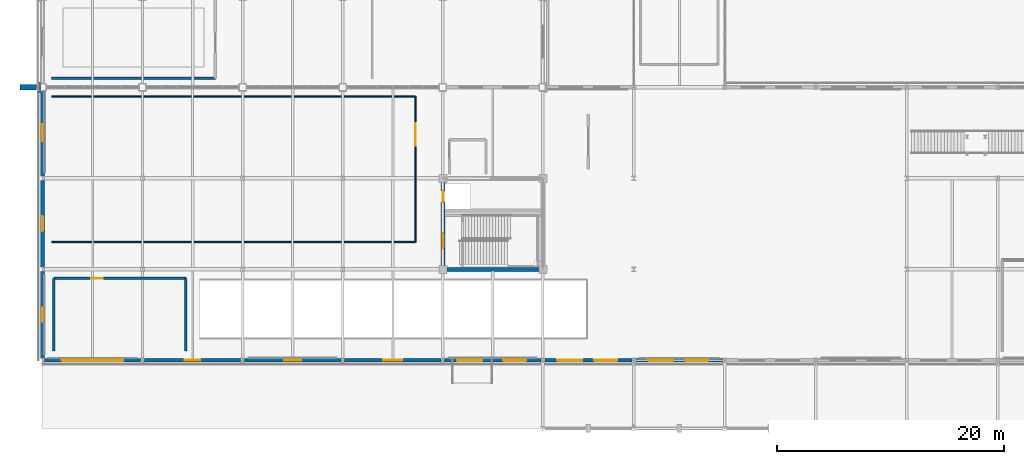
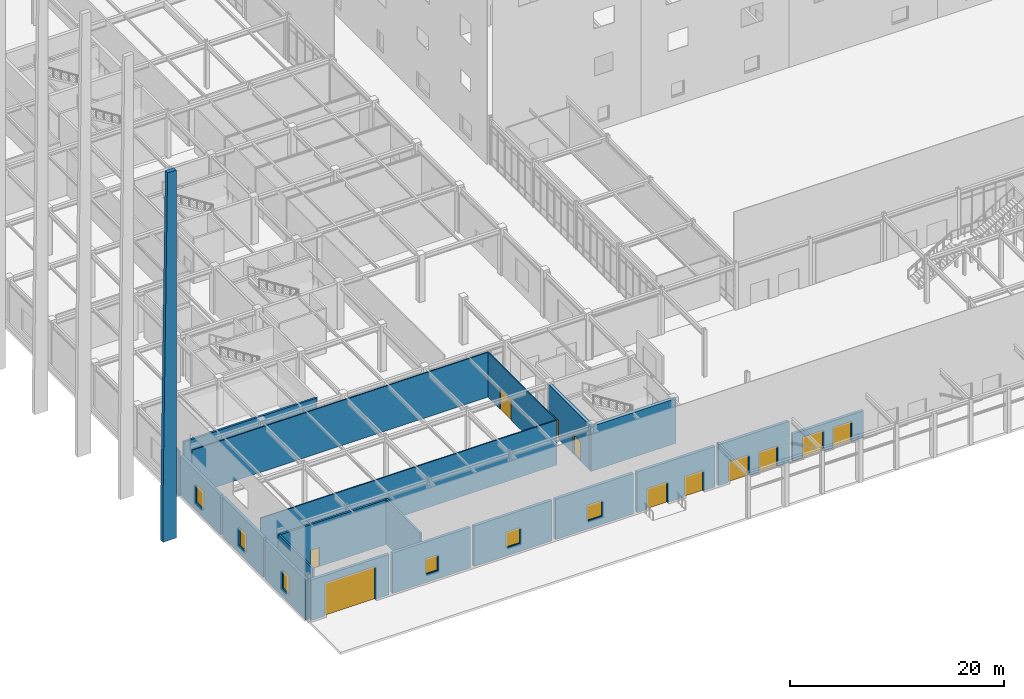
# One storey, part 85 of 119: 21 walls, 11 doors, 6 windows, 17 openings.
"""IFC4 building model written with IfcOpenShell, lengths in metres."""

from ifc_helpers import new_model, si_unit, direction, frame, frame_2d, origin, place, context, subcontext, project, spatial, polyline, rectangle, outline, extrude, material, layer, layer_set, type_object, element, fill, save


model = new_model("IFC4")

# Units and contexts
model_context = context("Model", 3, precision=1e-05, world=origin(), true_north=direction((0.0, 1.0)))
body_context = subcontext(model_context, "Body", "Model", "MODEL_VIEW")
ifc_project = project(units=[si_unit("LENGTHUNIT", "METRE"), si_unit("AREAUNIT", "SQUARE_METRE"), si_unit("VOLUMEUNIT", "CUBIC_METRE"), si_unit("PLANEANGLEUNIT", "RADIAN"), si_unit("MASSUNIT", "GRAM", prefix="KILO")], contexts=[model_context])

# Site, building, storey
site_placement = place(None, origin())
site = spatial("IfcSite", under=ifc_project, at=site_placement, CompositionType="ELEMENT")
building_placement = place(site_placement, origin())
building = spatial("IfcBuilding", under=site, at=building_placement, Name="Zhaolan Boulevard Law Courts", CompositionType="ELEMENT")
storey_placement = place(building_placement, origin())
storey = spatial("IfcBuildingStorey", under=building, at=storey_placement, Name="L00", CompositionType="ELEMENT", Elevation=0.0)

# Wall
ifc_material_1 = material(Name="Concrete C50", Category="concrete")
ifc_layer_1 = layer(ifc_material_1, 0.35009765625)
ifc_layer_set_1 = layer_set([ifc_layer_1])
wall_type_1 = type_object("IfcWallType", Name="CORE SHEAR WALL 350", PredefinedType="SHEAR", material=ifc_layer_set_1)
wall_1_placement = place(storey_placement, frame((35.02490234375, 14.0, 0.0), z_axis=(0.0, 0.0, 1.0), x_axis=(1.0, 0.0, 0.0)))
element("IfcWall", 1, at=wall_1_placement, inside=storey, type_object=wall_type_1, Name="Core Shear Wall CW-P1-L00S", PredefinedType="SHEAR", context=body_context, shape_type="SweptSolid", body=[
    extrude(rectangle(XDim=9.150146484375, YDim=0.35009765625, at=frame_2d((4.5751953125, 0.0))), origin(), (0.0, 0.0, 1.0), 5.1201171875),
])

# Wall, openings, doors
wall_2_placement = place(storey_placement, frame((35.199951171875, 14.175048828125, 0.0), z_axis=(0.0, 0.0, 1.0), x_axis=(0.0, 1.0, 0.0)))
wall_2 = element("IfcWall", 2, at=wall_2_placement, inside=storey, type_object=wall_type_1, Name="Core Shear Wall CW-P1-L00W", PredefinedType="SHEAR", context=body_context, shape_type="SweptSolid", body=[
    extrude(rectangle(XDim=7.64990234375, YDim=0.35009765625, at=frame_2d((3.824951171875, 0.0))), origin(), (0.0, 0.0, 1.0), 5.1201171875),
])
opening_1_placement = place(wall_2_placement, frame((1.64990234375, 0.0, 0.0)))
opening_1 = element("IfcOpeningElement", 3, at=opening_1_placement, cuts=wall_2, Name="Opening SD-L00-24", PredefinedType="OPENING", context=body_context, shape_type="SweptSolid", body=[
    extrude(rectangle(XDim=1.35009765625, YDim=2.199951171875, at=frame_2d((0.675048828125, 1.10009765625))), frame((0.0, 0.18505859375, 0.0), z_axis=(0.0, -1.0, 0.0), x_axis=(1.0, 0.0, 0.0)), (0.0, 0.0, 1.0), 0.3701171875),
])
opening_2_placement = place(wall_2_placement, frame((5.72509765625, 0.0, 0.0)))
opening_2 = element("IfcOpeningElement", 4, at=opening_2_placement, cuts=wall_2, Name="Opening LD-PL-01-L00", PredefinedType="OPENING", context=body_context, shape_type="SweptSolid", body=[
    extrude(rectangle(XDim=1.0, YDim=2.14990234375, at=frame_2d((0.5, 1.074951171875))), frame((0.0, 0.18505859375, 0.0), z_axis=(0.0, -1.0, 0.0), x_axis=(1.0, 0.0, 0.0)), (0.0, 0.0, 1.0), 0.3701171875),
])
ifc_material_2 = material(Name="Stainless steel sliding landing door", Category="steel")
door_type_1 = type_object("IfcDoorType", Name="LIFT LANDING 1000X2150", OperationType="DOUBLE_DOOR_SLIDING", PredefinedType="DOOR", material=ifc_material_2)
door_1_placement = place(opening_2_placement, origin())
door_1 = element("IfcDoor", 5, at=door_1_placement, inside=storey, type_object=door_type_1, Name="Lift Landing Sliding Door LD-PL-01-L00", OperationType="DOUBLE_DOOR_SLIDING", OverallHeight=2.14990234375, OverallWidth=1.0, PredefinedType="DOOR", context=body_context, shape_type="SweptSolid", body=[
    extrude(rectangle(XDim=1.0, YDim=2.14990234375, at=frame_2d((0.5, 1.074951171875))), frame((0.0, 0.02490234375, 0.0), z_axis=(0.0, -1.0, 0.0), x_axis=(1.0, 0.0, 0.0)), (0.0, 0.0, 1.0), 0.050048828125),
])
fill(opening_2, door_1)
ifc_material_3 = material(Name="Fire-rated steel acoustic door", Category="steel")
door_type_2 = type_object("IfcDoorType", Name="STAIR FIRE 1350X2200 R", OperationType="SINGLE_SWING_RIGHT", PredefinedType="DOOR", material=ifc_material_3)
door_2_placement = place(opening_1_placement, origin())
door_2 = element("IfcDoor", 6, at=door_2_placement, inside=storey, type_object=door_type_2, Name="Smoke-Proof Stairwell Fire Door SD-L00-24", OperationType="SINGLE_SWING_RIGHT", OverallHeight=2.199951171875, OverallWidth=1.35009765625, PredefinedType="DOOR", context=body_context, shape_type="SweptSolid", body=[
    extrude(rectangle(XDim=1.35009765625, YDim=2.199951171875, at=frame_2d((0.675048828125, 1.10009765625))), frame((0.0, 0.02490234375, 0.0), z_axis=(0.0, -1.0, 0.0), x_axis=(1.0, 0.0, 0.0)), (0.0, 0.0, 1.0), 0.050048828125),
])
fill(opening_1, door_2)

# Walls
ifc_material_4 = material(Name="Concrete C40", Category="concrete")
ifc_layer_2 = layer(ifc_material_4, 0.139892578125)
ifc_layer_set_2 = layer_set([ifc_layer_2])
wall_type_2 = type_object("IfcWallType", Name="EXT WALL ARCH CLAD140", PredefinedType="SOLIDWALL", material=ifc_layer_set_2)
wall_3_placement = place(storey_placement, frame((-0.280029296875, 29.580078125, 0.0), z_axis=(0.0, 0.0, 1.0), x_axis=(0.0, 1.0, 0.0)))
element("IfcWall", 7, at=wall_3_placement, inside=storey, type_object=wall_type_2, Name="Concrete Column Cloak Pier CPR-024", PredefinedType="SOLIDWALL", context=body_context, shape_type="SweptSolid", body=[
    extrude(rectangle(XDim=0.83984375, YDim=0.139892578125, at=frame_2d((0.419921875, 0.0))), origin(), (0.0, 0.0, 1.0), 5.139892578125),
])
ifc_material_5 = material(Name="Concrete C40", Category="concrete")
ifc_layer_3 = layer(ifc_material_5, 0.4599609375)
ifc_layer_set_3 = layer_set([ifc_layer_3])
wall_type_3 = type_object("IfcWallType", Name="EXT WALL BUTTRESS460", PredefinedType="SOLIDWALL", material=ifc_layer_set_3)
wall_4_placement = place(storey_placement, frame((-0.5400390625, 30.0, -4.800048828125), z_axis=(0.0, 0.0, 1.0), x_axis=(-1.0, 0.0, 0.0)))
element("IfcWall", 8, at=wall_4_placement, inside=storey, type_object=wall_type_3, Name="Sculpted Raked Concrete Fin SCF-215", PredefinedType="SOLIDWALL", context=body_context, shape_type="SweptSolid", body=[
    extrude(outline(polyline([(0.0, 0.0), (1.43994140625, 0.0), (1.43994140625, 4.800048828125), (0.949951171875, 42.0), (0.0, 42.0), (0.0, 0.0)])), frame((0.0, 0.22998046875, 0.0), z_axis=(0.0, -1.0, 0.0), x_axis=(1.0, 0.0, 0.0)), (0.0, 0.0, 1.0), 0.4599609375),
])

# Wall, opening, door
ifc_material_6 = material(Name="Concrete C40", Category="concrete")
ifc_layer_4 = layer(ifc_material_6, 0.320068359375)
ifc_layer_set_4 = layer_set([ifc_layer_4])
wall_type_4 = type_object("IfcWallType", Name="EXT WALL CONCRETE320", PredefinedType="SOLIDWALL", material=ifc_layer_set_4)
wall_5_placement = place(storey_placement, frame((0.1708984375, 6.0, 0.0), z_axis=(0.0, 0.0, 1.0), x_axis=(1.0, 0.0, 0.0)))
wall_5 = element("IfcWall", 9, at=wall_5_placement, inside=storey, type_object=wall_type_4, Name="Exterior Wall EW-L00-120", PredefinedType="SOLIDWALL", context=body_context, shape_type="SweptSolid", body=[
    extrude(rectangle(XDim=8.4580078125, YDim=0.320068359375, at=frame_2d((4.22900390625, 0.0))), origin(), (0.0, 0.0, 1.0), 4.635009765625),
])
opening_3_placement = place(wall_5_placement, frame((1.529052734375, 0.0, 0.0)))
opening_3 = element("IfcOpeningElement", 10, at=opening_3_placement, cuts=wall_5, Name="Opening VD-03", PredefinedType="OPENING", context=body_context, shape_type="SweptSolid", body=[
    extrude(rectangle(XDim=5.39990234375, YDim=3.800048828125, at=frame_2d((2.699951171875, 1.89990234375))), frame((0.0, 0.169921875, 0.0), z_axis=(0.0, -1.0, 0.0), x_axis=(1.0, 0.0, 0.0)), (0.0, 0.0, 1.0), 0.340087890625),
])
ifc_material_7 = material(Name="Insulated powder-coated steel and safety glass", Category="steel")
door_type_3 = type_object("IfcDoorType", Name="CAR PARK SHUTTER 5400", OperationType="ROLLINGUP", PredefinedType="GATE", material=ifc_material_7)
door_3_placement = place(opening_3_placement, origin())
door_3 = element("IfcDoor", 11, at=door_3_placement, inside=storey, type_object=door_type_3, Name="Underground Car Park Vehicle Entrance Shutter VD-03", OperationType="ROLLINGUP", OverallHeight=3.800048828125, OverallWidth=5.39990234375, PredefinedType="GATE", context=body_context, shape_type="SweptSolid", body=[
    extrude(rectangle(XDim=5.39990234375, YDim=3.800048828125, at=frame_2d((2.699951171875, 1.89990234375))), frame((0.0, 0.02490234375, 0.0), z_axis=(0.0, -1.0, 0.0), x_axis=(1.0, 0.0, 0.0)), (0.0, 0.0, 1.0), 0.050048828125),
])
fill(opening_3, door_3)

# Wall, opening, window
wall_6_placement = place(storey_placement, frame((8.970947265625, 6.0, 0.0), z_axis=(0.0, 0.0, 1.0), x_axis=(1.0, 0.0, 0.0)))
wall_6 = element("IfcWall", 12, at=wall_6_placement, inside=storey, type_object=wall_type_4, Name="Exterior Wall EW-L00-121", PredefinedType="SOLIDWALL", context=body_context, shape_type="SweptSolid", body=[
    extrude(rectangle(XDim=8.4580078125, YDim=0.320068359375, at=frame_2d((4.22900390625, 0.0))), origin(), (0.0, 0.0, 1.0), 4.635009765625),
])
opening_4_placement = place(wall_6_placement, frame((3.553955078125, 0.0, 0.949951171875)))
opening_4 = element("IfcOpeningElement", 13, at=opening_4_placement, cuts=wall_6, Name="Opening WIN-L00-001", PredefinedType="OPENING", context=body_context, shape_type="SweptSolid", body=[
    extrude(rectangle(XDim=1.35009765625, YDim=1.800048828125, at=frame_2d((0.675048828125, 0.89990234375))), frame((0.0, 0.169921875, 0.0), z_axis=(0.0, -1.0, 0.0), x_axis=(1.0, 0.0, 0.0)), (0.0, 0.0, 1.0), 0.340087890625),
])
ifc_material_8 = material(Name="Thermally broken aluminium and low-E glazing", Category="aluminium")
window_type_1 = type_object("IfcWindowType", Name="WINDOW 1350X1800", PartitioningType="SINGLE_PANEL", PredefinedType="WINDOW", material=ifc_material_8)
window_1_placement = place(opening_4_placement, origin())
window_1 = element("IfcWindow", 14, at=window_1_placement, inside=storey, type_object=window_type_1, Name="Exterior Window WIN-L00-001", OverallHeight=1.800048828125, OverallWidth=1.35009765625, PartitioningType="SINGLE_PANEL", PredefinedType="WINDOW", context=body_context, shape_type="SweptSolid", body=[
    extrude(rectangle(XDim=1.35009765625, YDim=1.800048828125, at=frame_2d((0.675048828125, 0.89990234375))), frame((0.0, 0.030029296875, 0.0), z_axis=(0.0, -1.0, 0.0), x_axis=(1.0, 0.0, 0.0)), (0.0, 0.0, 1.0), 0.06005859375),
])
fill(opening_4, window_1)

wall_7_placement = place(storey_placement, frame((17.77099609375, 6.0, 0.0), z_axis=(0.0, 0.0, 1.0), x_axis=(1.0, 0.0, 0.0)))
wall_7 = element("IfcWall", 15, at=wall_7_placement, inside=storey, type_object=wall_type_4, Name="Exterior Wall EW-L00-122", PredefinedType="SOLIDWALL", context=body_context, shape_type="SweptSolid", body=[
    extrude(rectangle(XDim=8.4580078125, YDim=0.320068359375, at=frame_2d((4.22900390625, 0.0))), origin(), (0.0, 0.0, 1.0), 4.635009765625),
])
opening_5_placement = place(wall_7_placement, frame((3.47900390625, 0.0, 0.949951171875)))
opening_5 = element("IfcOpeningElement", 16, at=opening_5_placement, cuts=wall_7, Name="Opening WIN-L00-002", PredefinedType="OPENING", context=body_context, shape_type="SweptSolid", body=[
    extrude(rectangle(XDim=1.5, YDim=1.800048828125, at=frame_2d((0.75, 0.89990234375))), frame((0.0, 0.169921875, 0.0), z_axis=(0.0, -1.0, 0.0), x_axis=(1.0, 0.0, 0.0)), (0.0, 0.0, 1.0), 0.340087890625),
])
ifc_material_9 = material(Name="Thermally broken aluminium and low-E glazing", Category="aluminium")
window_type_2 = type_object("IfcWindowType", Name="WINDOW 1500X1800", PartitioningType="SINGLE_PANEL", PredefinedType="WINDOW", material=ifc_material_9)
window_2_placement = place(opening_5_placement, origin())
window_2 = element("IfcWindow", 17, at=window_2_placement, inside=storey, type_object=window_type_2, Name="Exterior Window WIN-L00-002", OverallHeight=1.800048828125, OverallWidth=1.5, PartitioningType="SINGLE_PANEL", PredefinedType="WINDOW", context=body_context, shape_type="SweptSolid", body=[
    extrude(rectangle(XDim=1.5, YDim=1.800048828125, at=frame_2d((0.75, 0.89990234375))), frame((0.0, 0.030029296875, 0.0), z_axis=(0.0, -1.0, 0.0), x_axis=(1.0, 0.0, 0.0)), (0.0, 0.0, 1.0), 0.06005859375),
])
fill(opening_5, window_2)

wall_8_placement = place(storey_placement, frame((26.571044921875, 6.0, 0.0), z_axis=(0.0, 0.0, 1.0), x_axis=(1.0, 0.0, 0.0)))
wall_8 = element("IfcWall", 18, at=wall_8_placement, inside=storey, type_object=wall_type_4, Name="Exterior Wall EW-L00-123", PredefinedType="SOLIDWALL", context=body_context, shape_type="SweptSolid", body=[
    extrude(rectangle(XDim=8.4580078125, YDim=0.320068359375, at=frame_2d((4.22900390625, 0.0))), origin(), (0.0, 0.0, 1.0), 4.635009765625),
])
opening_6_placement = place(wall_8_placement, frame((3.404052734375, 0.0, 0.949951171875)))
opening_6 = element("IfcOpeningElement", 19, at=opening_6_placement, cuts=wall_8, Name="Opening WIN-L00-003", PredefinedType="OPENING", context=body_context, shape_type="SweptSolid", body=[
    extrude(rectangle(XDim=1.64990234375, YDim=1.800048828125, at=frame_2d((0.824951171875, 0.89990234375))), frame((0.0, 0.169921875, 0.0), z_axis=(0.0, -1.0, 0.0), x_axis=(1.0, 0.0, 0.0)), (0.0, 0.0, 1.0), 0.340087890625),
])
ifc_material_10 = material(Name="Thermally broken aluminium and low-E glazing", Category="aluminium")
window_type_3 = type_object("IfcWindowType", Name="WINDOW 1650X1800", PartitioningType="SINGLE_PANEL", PredefinedType="WINDOW", material=ifc_material_10)
window_3_placement = place(opening_6_placement, origin())
window_3 = element("IfcWindow", 20, at=window_3_placement, inside=storey, type_object=window_type_3, Name="Exterior Window WIN-L00-003", OverallHeight=1.800048828125, OverallWidth=1.64990234375, PartitioningType="SINGLE_PANEL", PredefinedType="WINDOW", context=body_context, shape_type="SweptSolid", body=[
    extrude(rectangle(XDim=1.64990234375, YDim=1.800048828125, at=frame_2d((0.824951171875, 0.89990234375))), frame((0.0, 0.030029296875, 0.0), z_axis=(0.0, -1.0, 0.0), x_axis=(1.0, 0.0, 0.0)), (0.0, 0.0, 1.0), 0.06005859375),
])
fill(opening_6, window_3)

# Wall, openings, doors
wall_9_placement = place(storey_placement, frame((35.37109375, 6.0, 0.0), z_axis=(0.0, 0.0, 1.0), x_axis=(1.0, 0.0, 0.0)))
wall_9 = element("IfcWall", 21, at=wall_9_placement, inside=storey, type_object=wall_type_4, Name="Exterior Wall EW-L00-124", PredefinedType="SOLIDWALL", context=body_context, shape_type="SweptSolid", body=[
    extrude(rectangle(XDim=8.4580078125, YDim=0.320068359375, at=frame_2d((4.22900390625, 0.0))), origin(), (0.0, 0.0, 1.0), 4.635009765625),
])
opening_7_placement = place(wall_9_placement, frame((1.09912109375, 0.0, 0.0)))
opening_7 = element("IfcOpeningElement", 22, at=opening_7_placement, cuts=wall_9, Name="Opening ED-01", PredefinedType="OPENING", context=body_context, shape_type="SweptSolid", body=[
    extrude(rectangle(XDim=2.199951171875, YDim=2.39990234375, at=frame_2d((1.10009765625, 1.199951171875))), frame((0.0, 0.169921875, 0.0), z_axis=(0.0, -1.0, 0.0), x_axis=(1.0, 0.0, 0.0)), (0.0, 0.0, 1.0), 0.340087890625),
])
opening_8_placement = place(wall_9_placement, frame((5.158935546875, 0.0, 0.0)))
opening_8 = element("IfcOpeningElement", 23, at=opening_8_placement, cuts=wall_9, Name="Opening ED-02", PredefinedType="OPENING", context=body_context, shape_type="SweptSolid", body=[
    extrude(rectangle(XDim=2.0, YDim=2.35009765625, at=frame_2d((1.0, 1.175048828125))), frame((0.0, 0.169921875, 0.0), z_axis=(0.0, -1.0, 0.0), x_axis=(1.0, 0.0, 0.0)), (0.0, 0.0, 1.0), 0.340087890625),
])
ifc_material_11 = material(Name="Insulated powder-coated steel and safety glass", Category="steel")
door_type_4 = type_object("IfcDoorType", Name="EXIT DOOR 2000X2350 R", OperationType="DOUBLE_DOOR_SINGLE_SWING", PredefinedType="DOOR", material=ifc_material_11)
door_4_placement = place(opening_8_placement, origin())
door_4 = element("IfcDoor", 24, at=door_4_placement, inside=storey, type_object=door_type_4, Name="Pedestrian Final Exit Door ED-02", OperationType="DOUBLE_DOOR_SINGLE_SWING", OverallHeight=2.35009765625, OverallWidth=2.0, PredefinedType="DOOR", context=body_context, shape_type="SweptSolid", body=[
    extrude(rectangle(XDim=2.0, YDim=2.35009765625, at=frame_2d((1.0, 1.175048828125))), frame((0.0, 0.02490234375, 0.0), z_axis=(0.0, -1.0, 0.0), x_axis=(1.0, 0.0, 0.0)), (0.0, 0.0, 1.0), 0.050048828125),
])
fill(opening_8, door_4)
ifc_material_12 = material(Name="Insulated powder-coated steel and safety glass", Category="steel")
door_type_5 = type_object("IfcDoorType", Name="EXIT DOOR 2200X2400 L", OperationType="DOUBLE_DOOR_SINGLE_SWING", PredefinedType="DOOR", material=ifc_material_12)
door_5_placement = place(opening_7_placement, origin())
door_5 = element("IfcDoor", 25, at=door_5_placement, inside=storey, type_object=door_type_5, Name="Pedestrian Final Exit Door ED-01", OperationType="DOUBLE_DOOR_SINGLE_SWING", OverallHeight=2.39990234375, OverallWidth=2.199951171875, PredefinedType="DOOR", context=body_context, shape_type="SweptSolid", body=[
    extrude(rectangle(XDim=2.199951171875, YDim=2.39990234375, at=frame_2d((1.10009765625, 1.199951171875))), frame((0.0, 0.02490234375, 0.0), z_axis=(0.0, -1.0, 0.0), x_axis=(1.0, 0.0, 0.0)), (0.0, 0.0, 1.0), 0.050048828125),
])
fill(opening_7, door_5)

wall_10_placement = place(storey_placement, frame((44.1708984375, 6.0, 0.0), z_axis=(0.0, 0.0, 1.0), x_axis=(1.0, 0.0, 0.0)))
wall_10 = element("IfcWall", 26, at=wall_10_placement, inside=storey, type_object=wall_type_4, Name="Exterior Wall EW-L00-125", PredefinedType="SOLIDWALL", context=body_context, shape_type="SweptSolid", body=[
    extrude(rectangle(XDim=7.658203125, YDim=0.320068359375, at=frame_2d((3.8291015625, 0.0))), origin(), (0.0, 0.0, 1.0), 4.68310546875),
])
opening_9_placement = place(wall_10_placement, frame((1.09912109375, 0.0, 0.0)))
opening_9 = element("IfcOpeningElement", 27, at=opening_9_placement, cuts=wall_10, Name="Opening ED-03", PredefinedType="OPENING", context=body_context, shape_type="SweptSolid", body=[
    extrude(rectangle(XDim=2.199951171875, YDim=2.39990234375, at=frame_2d((1.10009765625, 1.199951171875))), frame((0.0, 0.169921875, 0.0), z_axis=(0.0, -1.0, 0.0), x_axis=(1.0, 0.0, 0.0)), (0.0, 0.0, 1.0), 0.340087890625),
])
opening_10_placement = place(wall_10_placement, frame((4.35888671875, 0.0, 0.0)))
opening_10 = element("IfcOpeningElement", 28, at=opening_10_placement, cuts=wall_10, Name="Opening ED-04", PredefinedType="OPENING", context=body_context, shape_type="SweptSolid", body=[
    extrude(rectangle(XDim=2.0, YDim=2.35009765625, at=frame_2d((1.0, 1.175048828125))), frame((0.0, 0.169921875, 0.0), z_axis=(0.0, -1.0, 0.0), x_axis=(1.0, 0.0, 0.0)), (0.0, 0.0, 1.0), 0.340087890625),
])
door_6_placement = place(opening_10_placement, origin())
door_6 = element("IfcDoor", 29, at=door_6_placement, inside=storey, type_object=door_type_4, Name="Pedestrian Final Exit Door ED-04", OperationType="DOUBLE_DOOR_SINGLE_SWING", OverallHeight=2.35009765625, OverallWidth=2.0, PredefinedType="DOOR", context=body_context, shape_type="SweptSolid", body=[
    extrude(rectangle(XDim=2.0, YDim=2.35009765625, at=frame_2d((1.0, 1.175048828125))), frame((0.0, 0.02490234375, 0.0), z_axis=(0.0, -1.0, 0.0), x_axis=(1.0, 0.0, 0.0)), (0.0, 0.0, 1.0), 0.050048828125),
])
fill(opening_10, door_6)
door_7_placement = place(opening_9_placement, origin())
door_7 = element("IfcDoor", 30, at=door_7_placement, inside=storey, type_object=door_type_5, Name="Pedestrian Final Exit Door ED-03", OperationType="DOUBLE_DOOR_SINGLE_SWING", OverallHeight=2.39990234375, OverallWidth=2.199951171875, PredefinedType="DOOR", context=body_context, shape_type="SweptSolid", body=[
    extrude(rectangle(XDim=2.199951171875, YDim=2.39990234375, at=frame_2d((1.10009765625, 1.199951171875))), frame((0.0, 0.02490234375, 0.0), z_axis=(0.0, -1.0, 0.0), x_axis=(1.0, 0.0, 0.0)), (0.0, 0.0, 1.0), 0.050048828125),
])
fill(opening_9, door_7)

wall_11_placement = place(storey_placement, frame((52.1708984375, 6.0, 0.0), z_axis=(0.0, 0.0, 1.0), x_axis=(1.0, 0.0, 0.0)))
wall_11 = element("IfcWall", 31, at=wall_11_placement, inside=storey, type_object=wall_type_4, Name="Exterior Wall EW-L00-126", PredefinedType="SOLIDWALL", context=body_context, shape_type="SweptSolid", body=[
    extrude(rectangle(XDim=7.658203125, YDim=0.320068359375, at=frame_2d((3.8291015625, 0.0))), origin(), (0.0, 0.0, 1.0), 3.087890625),
])
opening_11_placement = place(wall_11_placement, frame((1.09912109375, 0.0, 0.0)))
opening_11 = element("IfcOpeningElement", 32, at=opening_11_placement, cuts=wall_11, Name="Opening ED-05", PredefinedType="OPENING", context=body_context, shape_type="SweptSolid", body=[
    extrude(rectangle(XDim=2.199951171875, YDim=2.39990234375, at=frame_2d((1.10009765625, 1.199951171875))), frame((0.0, 0.169921875, 0.0), z_axis=(0.0, -1.0, 0.0), x_axis=(1.0, 0.0, 0.0)), (0.0, 0.0, 1.0), 0.340087890625),
])
opening_12_placement = place(wall_11_placement, frame((4.35888671875, 0.0, 0.0)))
opening_12 = element("IfcOpeningElement", 33, at=opening_12_placement, cuts=wall_11, Name="Opening ED-06", PredefinedType="OPENING", context=body_context, shape_type="SweptSolid", body=[
    extrude(rectangle(XDim=2.0, YDim=2.35009765625, at=frame_2d((1.0, 1.175048828125))), frame((0.0, 0.169921875, 0.0), z_axis=(0.0, -1.0, 0.0), x_axis=(1.0, 0.0, 0.0)), (0.0, 0.0, 1.0), 0.340087890625),
])
door_8_placement = place(opening_12_placement, origin())
door_8 = element("IfcDoor", 34, at=door_8_placement, inside=storey, type_object=door_type_4, Name="Pedestrian Final Exit Door ED-06", OperationType="DOUBLE_DOOR_SINGLE_SWING", OverallHeight=2.35009765625, OverallWidth=2.0, PredefinedType="DOOR", context=body_context, shape_type="SweptSolid", body=[
    extrude(rectangle(XDim=2.0, YDim=2.35009765625, at=frame_2d((1.0, 1.175048828125))), frame((0.0, 0.02490234375, 0.0), z_axis=(0.0, -1.0, 0.0), x_axis=(1.0, 0.0, 0.0)), (0.0, 0.0, 1.0), 0.050048828125),
])
fill(opening_12, door_8)
door_9_placement = place(opening_11_placement, origin())
door_9 = element("IfcDoor", 35, at=door_9_placement, inside=storey, type_object=door_type_5, Name="Pedestrian Final Exit Door ED-05", OperationType="DOUBLE_DOOR_SINGLE_SWING", OverallHeight=2.39990234375, OverallWidth=2.199951171875, PredefinedType="DOOR", context=body_context, shape_type="SweptSolid", body=[
    extrude(rectangle(XDim=2.199951171875, YDim=2.39990234375, at=frame_2d((1.10009765625, 1.199951171875))), frame((0.0, 0.02490234375, 0.0), z_axis=(0.0, -1.0, 0.0), x_axis=(1.0, 0.0, 0.0)), (0.0, 0.0, 1.0), 0.050048828125),
])
fill(opening_11, door_9)

# Wall, opening, window
wall_12_placement = place(storey_placement, frame((0.0, 13.8291015625, 0.0), z_axis=(0.0, 0.0, 1.0), x_axis=(0.0, -1.0, 0.0)))
wall_12 = element("IfcWall", 36, at=wall_12_placement, inside=storey, type_object=wall_type_4, Name="Exterior Wall EW-L00-140", PredefinedType="SOLIDWALL", context=body_context, shape_type="SweptSolid", body=[
    extrude(rectangle(XDim=7.658203125, YDim=0.320068359375, at=frame_2d((3.8291015625, 0.0))), origin(), (0.0, 0.0, 1.0), 4.52294921875),
])
opening_13_placement = place(wall_12_placement, frame((3.22900390625, 0.0, 0.949951171875)))
opening_13 = element("IfcOpeningElement", 37, at=opening_13_placement, cuts=wall_12, Name="Opening WIN-L00-008", PredefinedType="OPENING", context=body_context, shape_type="SweptSolid", body=[
    extrude(rectangle(XDim=1.199951171875, YDim=2.10009765625, at=frame_2d((0.60009765625, 1.050048828125))), frame((0.0, 0.169921875, 0.0), z_axis=(0.0, -1.0, 0.0), x_axis=(1.0, 0.0, 0.0)), (0.0, 0.0, 1.0), 0.340087890625),
])
ifc_material_13 = material(Name="Thermally broken aluminium and low-E glazing", Category="aluminium")
window_type_4 = type_object("IfcWindowType", Name="WINDOW 1200X2100", PartitioningType="SINGLE_PANEL", PredefinedType="WINDOW", material=ifc_material_13)
window_4_placement = place(opening_13_placement, origin())
window_4 = element("IfcWindow", 38, at=window_4_placement, inside=storey, type_object=window_type_4, Name="Exterior Window WIN-L00-008", OverallHeight=2.10009765625, OverallWidth=1.199951171875, PartitioningType="SINGLE_PANEL", PredefinedType="WINDOW", context=body_context, shape_type="SweptSolid", body=[
    extrude(rectangle(XDim=1.199951171875, YDim=2.10009765625, at=frame_2d((0.60009765625, 1.050048828125))), frame((0.0, 0.030029296875, 0.0), z_axis=(0.0, -1.0, 0.0), x_axis=(1.0, 0.0, 0.0)), (0.0, 0.0, 1.0), 0.06005859375),
])
fill(opening_13, window_4)

wall_13_placement = place(storey_placement, frame((0.0, 21.8291015625, 0.0), z_axis=(0.0, 0.0, 1.0), x_axis=(0.0, -1.0, 0.0)))
wall_13 = element("IfcWall", 39, at=wall_13_placement, inside=storey, type_object=wall_type_4, Name="Exterior Wall EW-L00-141", PredefinedType="SOLIDWALL", context=body_context, shape_type="SweptSolid", body=[
    extrude(rectangle(XDim=7.658203125, YDim=0.320068359375, at=frame_2d((3.8291015625, 0.0))), origin(), (0.0, 0.0, 1.0), 4.52294921875),
])
opening_14_placement = place(wall_13_placement, frame((3.154052734375, 0.0, 0.949951171875)))
opening_14 = element("IfcOpeningElement", 40, at=opening_14_placement, cuts=wall_13, Name="Opening WIN-L00-009", PredefinedType="OPENING", context=body_context, shape_type="SweptSolid", body=[
    extrude(rectangle(XDim=1.35009765625, YDim=2.10009765625, at=frame_2d((0.675048828125, 1.050048828125))), frame((0.0, 0.169921875, 0.0), z_axis=(0.0, -1.0, 0.0), x_axis=(1.0, 0.0, 0.0)), (0.0, 0.0, 1.0), 0.340087890625),
])
ifc_material_14 = material(Name="Thermally broken aluminium and low-E glazing", Category="aluminium")
window_type_5 = type_object("IfcWindowType", Name="WINDOW 1350X2100", PartitioningType="SINGLE_PANEL", PredefinedType="WINDOW", material=ifc_material_14)
window_5_placement = place(opening_14_placement, origin())
window_5 = element("IfcWindow", 41, at=window_5_placement, inside=storey, type_object=window_type_5, Name="Exterior Window WIN-L00-009", OverallHeight=2.10009765625, OverallWidth=1.35009765625, PartitioningType="SINGLE_PANEL", PredefinedType="WINDOW", context=body_context, shape_type="SweptSolid", body=[
    extrude(rectangle(XDim=1.35009765625, YDim=2.10009765625, at=frame_2d((0.675048828125, 1.050048828125))), frame((0.0, 0.030029296875, 0.0), z_axis=(0.0, -1.0, 0.0), x_axis=(1.0, 0.0, 0.0)), (0.0, 0.0, 1.0), 0.06005859375),
])
fill(opening_14, window_5)

wall_14_placement = place(storey_placement, frame((0.0, 29.678955078125, 0.0), z_axis=(0.0, 0.0, 1.0), x_axis=(0.0, -1.0, 0.0)))
wall_14 = element("IfcWall", 42, at=wall_14_placement, inside=storey, type_object=wall_type_4, Name="Exterior Wall EW-L00-142", PredefinedType="SOLIDWALL", context=body_context, shape_type="SweptSolid", body=[
    extrude(rectangle(XDim=7.508056640625, YDim=0.320068359375, at=frame_2d((3.75390625, 0.0))), origin(), (0.0, 0.0, 1.0), 4.52294921875),
])
opening_15_placement = place(wall_14_placement, frame((2.928955078125, 0.0, 0.949951171875)))
opening_15 = element("IfcOpeningElement", 43, at=opening_15_placement, cuts=wall_14, Name="Opening WIN-L00-010", PredefinedType="OPENING", context=body_context, shape_type="SweptSolid", body=[
    extrude(rectangle(XDim=1.5, YDim=2.10009765625, at=frame_2d((0.75, 1.050048828125))), frame((0.0, 0.169921875, 0.0), z_axis=(0.0, -1.0, 0.0), x_axis=(1.0, 0.0, 0.0)), (0.0, 0.0, 1.0), 0.340087890625),
])
ifc_material_15 = material(Name="Thermally broken aluminium and low-E glazing", Category="aluminium")
window_type_6 = type_object("IfcWindowType", Name="WINDOW 1500X2100", PartitioningType="SINGLE_PANEL", PredefinedType="WINDOW", material=ifc_material_15)
window_6_placement = place(opening_15_placement, origin())
window_6 = element("IfcWindow", 44, at=window_6_placement, inside=storey, type_object=window_type_6, Name="Exterior Window WIN-L00-010", OverallHeight=2.10009765625, OverallWidth=1.5, PartitioningType="SINGLE_PANEL", PredefinedType="WINDOW", context=body_context, shape_type="SweptSolid", body=[
    extrude(rectangle(XDim=1.5, YDim=2.10009765625, at=frame_2d((0.75, 1.050048828125))), frame((0.0, 0.030029296875, 0.0), z_axis=(0.0, -1.0, 0.0), x_axis=(1.0, 0.0, 0.0)), (0.0, 0.0, 1.0), 0.06005859375),
])
fill(opening_15, window_6)

# Wall, opening, door
ifc_material_16 = material(Name="Concrete C40", Category="concrete")
ifc_layer_5 = layer(ifc_material_16, 0.219970703125)
ifc_layer_set_5 = layer_set([ifc_layer_5])
wall_type_5 = type_object("IfcWallType", Name="PART WALL COURT220", PredefinedType="PARTITIONING", material=ifc_layer_set_5)
wall_15_placement = place(storey_placement, frame((12.60009765625, 13.199951171875, 0.0), z_axis=(0.0, 0.0, 1.0), x_axis=(-1.0, 0.0, 0.0)))
wall_15 = element("IfcWall", 45, at=wall_15_placement, inside=storey, type_object=wall_type_5, Name="Interior Partition PW-L00-231", PredefinedType="PARTITIONING", context=body_context, shape_type="SweptSolid", body=[
    extrude(rectangle(XDim=11.60009765625, YDim=0.219970703125, at=frame_2d((5.800048828125, 0.0))), origin(), (0.0, 0.0, 1.0), 5.1201171875),
])
opening_16_placement = place(wall_15_placement, frame((7.31396484375, 0.0, 0.0)))
opening_16 = element("IfcOpeningElement", 46, at=opening_16_placement, cuts=wall_15, Name="Opening JD-L00-069", PredefinedType="OPENING", context=body_context, shape_type="SweptSolid", body=[
    extrude(rectangle(XDim=0.97998046875, YDim=2.199951171875, at=frame_2d((0.489990234375, 1.10009765625))), frame((0.0, 0.119873046875, 0.0), z_axis=(0.0, -1.0, 0.0), x_axis=(1.0, 0.0, 0.0)), (0.0, 0.0, 1.0), 0.239990234375),
])
ifc_material_17 = material(Name="Solid-core acoustic oak veneer door")
door_type_6 = type_object("IfcDoorType", Name="CHAMBER DOOR 980X2200 R", OperationType="SINGLE_SWING_RIGHT", PredefinedType="DOOR", material=ifc_material_17)
door_10_placement = place(opening_16_placement, origin())
door_10 = element("IfcDoor", 47, at=door_10_placement, inside=storey, type_object=door_type_6, Name="Door JD-L00-069 (Fire Control Room)", OperationType="SINGLE_SWING_RIGHT", OverallHeight=2.199951171875, OverallWidth=0.97998046875, PredefinedType="DOOR", context=body_context, shape_type="SweptSolid", body=[
    extrude(rectangle(XDim=0.97998046875, YDim=2.199951171875, at=frame_2d((0.489990234375, 1.10009765625))), frame((0.0, 0.02490234375, 0.0), z_axis=(0.0, -1.0, 0.0), x_axis=(1.0, 0.0, 0.0)), (0.0, 0.0, 1.0), 0.050048828125),
])
fill(opening_16, door_10)

# Walls
for number, where, z_axis, x_axis, name in (
    (48, (1.0, 13.199951171875, 0.0), (0.0, 0.0, 1.0), (0.0, -1.0, 0.0), "Interior Partition PW-L00-232"),
    (49, (12.60009765625, 6.800048828125, 0.0), (0.0, 0.0, 1.0), (0.0, 1.0, 0.0), "Interior Partition PW-L00-233"),
):
    element("IfcWall", number, at=place(storey_placement, frame(where, z_axis=z_axis, x_axis=x_axis)), inside=storey, type_object=wall_type_5, Name=name, PredefinedType="PARTITIONING", context=body_context, shape_type="SweptSolid", body=[
        extrude(rectangle(XDim=6.39990234375, YDim=0.219970703125, at=frame_2d((3.199951171875, 0.0))), origin(), (0.0, 0.0, 1.0), 5.1201171875),
    ])
wall_16_placement = place(storey_placement, frame((0.800048828125, 30.800048828125, 0.0), z_axis=(0.0, 0.0, 1.0), x_axis=(1.0, 0.0, 0.0)))
element("IfcWall", 50, at=wall_16_placement, inside=storey, type_object=wall_type_5, Name="Interior Partition PW-L00-303", PredefinedType="PARTITIONING", context=body_context, shape_type="SweptSolid", body=[
    extrude(rectangle(XDim=14.39990234375, YDim=0.219970703125, at=frame_2d((7.199951171875, 0.0))), origin(), (0.0, 0.0, 1.0), 5.1201171875),
])
ifc_material_18 = material(Name="Gypsum board stud partition")
ifc_layer_6 = layer(ifc_material_18, 0.1201171875)
ifc_layer_set_6 = layer_set([ifc_layer_6])
wall_type_6 = type_object("IfcWallType", Name="PART WALL LIGHT120", PredefinedType="PARTITIONING", material=ifc_layer_set_6)
for number, where, z_axis, x_axis, name in (
    (51, (0.800048828125, 16.39990234375, 0.0), (0.0, 0.0, 1.0), (1.0, 0.0, 0.0), "Interior Partition PW-L00-234"),
    (52, (32.800048828125, 29.199951171875, 0.0), (0.0, 0.0, 1.0), (-1.0, 0.0, 0.0), "Interior Partition PW-L00-235"),
):
    element("IfcWall", number, at=place(storey_placement, frame(where, z_axis=z_axis, x_axis=x_axis)), inside=storey, type_object=wall_type_6, Name=name, PredefinedType="PARTITIONING", context=body_context, shape_type="SweptSolid", body=[
        extrude(rectangle(XDim=32.0, YDim=0.1201171875, at=frame_2d((16.0, 0.0))), origin(), (0.0, 0.0, 1.0), 5.1201171875),
    ])

# Wall, opening, door
wall_17_placement = place(storey_placement, frame((32.800048828125, 16.39990234375, 0.0), z_axis=(0.0, 0.0, 1.0), x_axis=(0.0, 1.0, 0.0)))
wall_17 = element("IfcWall", 53, at=wall_17_placement, inside=storey, type_object=wall_type_6, Name="Interior Partition PW-L00-236", PredefinedType="PARTITIONING", context=body_context, shape_type="SweptSolid", body=[
    extrude(rectangle(XDim=12.800048828125, YDim=0.1201171875, at=frame_2d((6.39990234375, 0.0))), origin(), (0.0, 0.0, 1.0), 5.1201171875),
])
opening_17_placement = place(wall_17_placement, frame((8.4599609375, 0.0, 0.0)))
opening_17 = element("IfcOpeningElement", 54, at=opening_17_placement, cuts=wall_17, Name="Opening ID-L00-070", PredefinedType="OPENING", context=body_context, shape_type="SweptSolid", body=[
    extrude(rectangle(XDim=2.0, YDim=2.39990234375, at=frame_2d((1.0, 1.199951171875))), frame((0.0, 0.070068359375, 0.0), z_axis=(0.0, -1.0, 0.0), x_axis=(1.0, 0.0, 0.0)), (0.0, 0.0, 1.0), 0.14013671875),
])
ifc_material_19 = material(Name="Solid-core acoustic oak veneer door")
door_type_7 = type_object("IfcDoorType", Name="HALL DOUBLE 2000X2400", OperationType="DOUBLE_DOOR_SINGLE_SWING", PredefinedType="DOOR", material=ifc_material_19)
door_11_placement = place(opening_17_placement, origin())
door_11 = element("IfcDoor", 55, at=door_11_placement, inside=storey, type_object=door_type_7, Name="Door ID-L00-070 (Case Filing Registry Hall)", OperationType="DOUBLE_DOOR_SINGLE_SWING", OverallHeight=2.39990234375, OverallWidth=2.0, PredefinedType="DOOR", context=body_context, shape_type="SweptSolid", body=[
    extrude(rectangle(XDim=2.0, YDim=2.39990234375, at=frame_2d((1.0, 1.199951171875))), frame((0.0, 0.02490234375, 0.0), z_axis=(0.0, -1.0, 0.0), x_axis=(1.0, 0.0, 0.0)), (0.0, 0.0, 1.0), 0.050048828125),
])
fill(opening_17, door_11)

save(model, "model.ifc")
